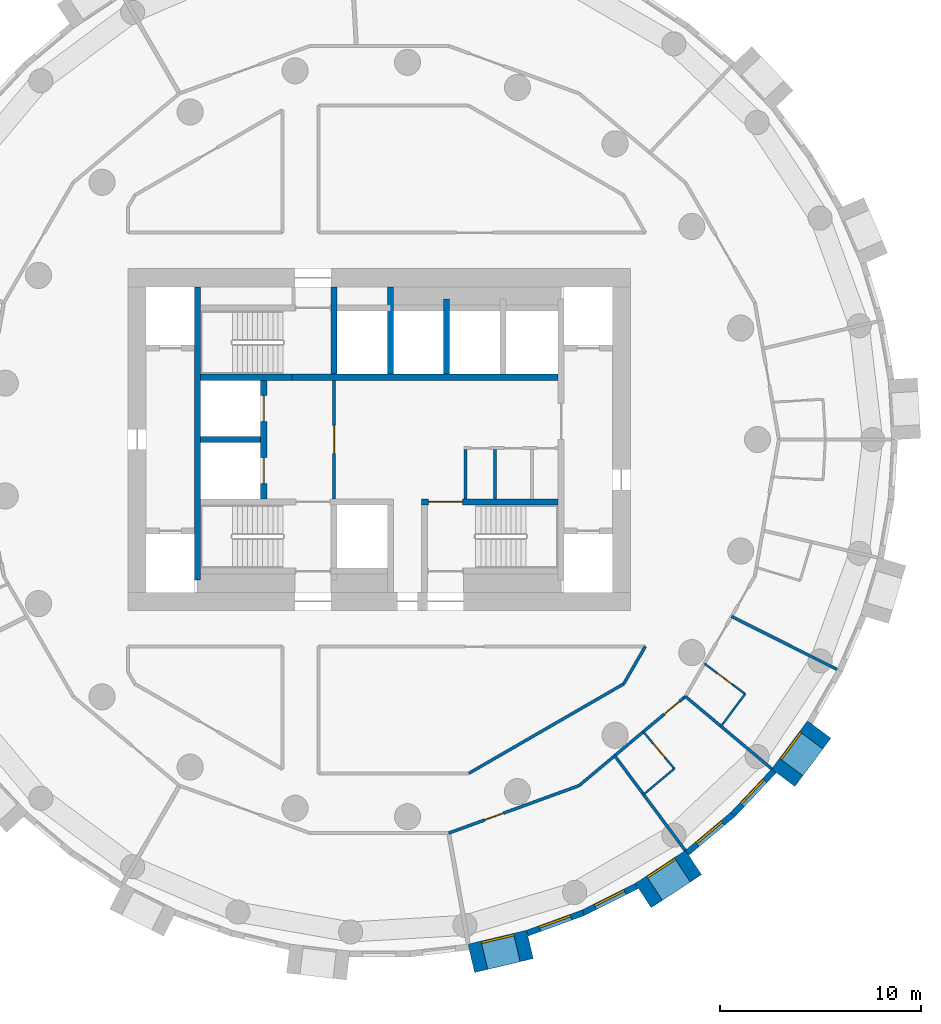
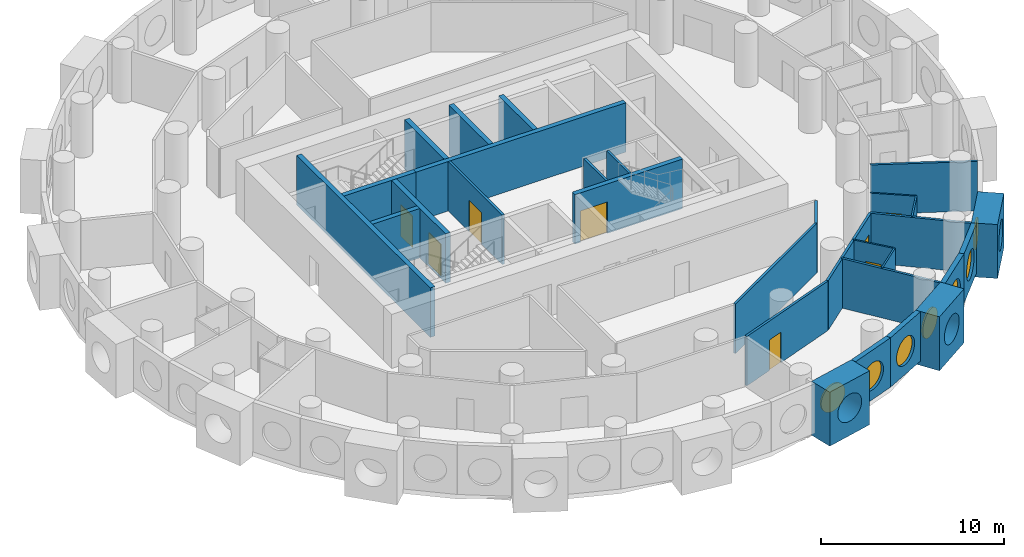
# One storey, part 4 of 9: 30 walls, 8 doors, 7 windows, 15 openings.
"""IFC4 building model written with IfcOpenShell, lengths in metres."""

import ifcopenshell
import ifcopenshell.guid

model = None  # the IFC model being written
_history = None  # IfcOwnerHistory: only IFC2X3 demands one
_inside = {}  # id of a spatial element -> (the spatial element, [elements in it])
_under = {}  # id of a project, library or spatial element -> (it, [spatial elements below it])
_declared = {}  # id of a project -> (the project, [libraries it declares])
_typed = {}  # id of a type object -> (the type object, [elements of that type])
_made_of = {}  # id of a material, layer set ... -> (it, [elements and type objects made of it])


def new_model(schema):
    """Start an empty IFC model of exactly this schema.

    Asked for "IFC4X3", IfcOpenShell would pick the latest addendum, in which some entities
    have other attributes; the version numbers below select the first issue.
    IFC2X3 requires an IfcOwnerHistory on every rooted entity: one is made here for all.
    """
    global model, _history
    if schema == "IFC4X3":
        model = ifcopenshell.file(schema_version=(4, 3, 0, 0))
    else:
        model = ifcopenshell.file(schema=schema)
    _inside.clear()
    _under.clear()
    _declared.clear()
    _typed.clear()
    _made_of.clear()
    _history = None
    if model.schema == "IFC2X3":
        org = make("IfcOrganization", Name="unknown")
        user = make(
            "IfcPersonAndOrganization",
            ThePerson=make("IfcPerson", FamilyName="unknown"),
            TheOrganization=org,
        )
        app = make(
            "IfcApplication",
            ApplicationDeveloper=org,
            Version="unknown",
            ApplicationFullName="unknown",
            ApplicationIdentifier="unknown",
        )
        _history = make(
            "IfcOwnerHistory",
            OwningUser=user,
            OwningApplication=app,
            ChangeAction="ADDED",
            CreationDate=0,
        )
    return model


def make(cls, **values):
    """One entity of the class cls with the attributes given. An attribute that is None is left unset."""
    return model.create_entity(
        cls, **{name: value for name, value in values.items() if value is not None}
    )


def rooted(cls, **values):
    """An entity with a GlobalId (a new one), such as an element, a storey or a relation."""
    return make(cls, GlobalId=ifcopenshell.guid.new(), OwnerHistory=_history, **values)


def si_unit(unit_type, name, prefix=None):
    """IfcSIUnit, for example si_unit("LENGTHUNIT", "METRE", prefix="MILLI")."""
    return make("IfcSIUnit", UnitType=unit_type, Prefix=prefix, Name=name)


def assignment(units):
    """IfcUnitAssignment: the units of a project."""
    return None if units is None else make("IfcUnitAssignment", Units=units)


def point(xyz):
    """IfcCartesianPoint."""
    return None if xyz is None else make("IfcCartesianPoint", Coordinates=xyz)


def direction(xyz):
    """IfcDirection."""
    return None if xyz is None else make("IfcDirection", DirectionRatios=xyz)


def frame(location, z_axis=None, x_axis=None):
    """IfcAxis2Placement3D, a coordinate frame: its origin and axes. An axis left out is left unset."""
    return make(
        "IfcAxis2Placement3D",
        Location=point(location),
        Axis=direction(z_axis),
        RefDirection=direction(x_axis),
    )


def frame_2d(location, x_axis=None):
    """IfcAxis2Placement2D, a coordinate frame in the plane: its origin and x axis."""
    return make(
        "IfcAxis2Placement2D", Location=point(location), RefDirection=direction(x_axis)
    )


def origin():
    """The frame at (0, 0, 0) with its axes left unset."""
    return frame((0.0, 0.0, 0.0))


def origin_2d():
    """The frame at (0, 0) in the plane with its x axis left unset."""
    return frame_2d((0.0, 0.0))


def place(relative_to, where):
    """IfcLocalPlacement: puts the frame where relative to a parent placement (None: the world)."""
    return make(
        "IfcLocalPlacement", PlacementRelTo=relative_to, RelativePlacement=where
    )


def context(
    kind, dimensions, precision=None, world=None, true_north=None, identifier=None
):
    """IfcGeometricRepresentationContext, for example the 3D "Model" context."""
    return make(
        "IfcGeometricRepresentationContext",
        ContextIdentifier=identifier,
        ContextType=kind,
        CoordinateSpaceDimension=dimensions,
        Precision=precision,
        WorldCoordinateSystem=world,
        TrueNorth=true_north,
    )


def subcontext(parent, identifier, kind, view, scale=None):
    """IfcGeometricRepresentationSubContext, for example "Body" below "Model"."""
    return make(
        "IfcGeometricRepresentationSubContext",
        ContextIdentifier=identifier,
        ContextType=kind,
        ParentContext=parent,
        TargetScale=scale,
        TargetView=view,
    )


def project(units=None, contexts=None):
    """IfcProject with its units and contexts."""
    return rooted(
        "IfcProject",
        Name="project",
        RepresentationContexts=contexts,
        UnitsInContext=assignment(units),
    )


def spatial(cls, under=None, at=None, **own):
    """A site, building, storey or space (cls), placed at a placement, below another one or the project."""
    s = rooted(cls, ObjectPlacement=at, **own)
    if under is not None:
        _under.setdefault(under.id(), (under, []))[1].append(s)
    return s


def profile(cls, at=None, kind="AREA", **sizes):
    """A parametric profile (cls). Its sizes go by their IFC names, for example OverallWidth=200.0."""
    return make(cls, ProfileType=kind, Position=at, **sizes)


def rectangle(**sizes):
    """IfcRectangleProfileDef."""
    return profile("IfcRectangleProfileDef", **sizes)


def circle(**sizes):
    """IfcCircleProfileDef."""
    return profile("IfcCircleProfileDef", **sizes)


def extrude(swept, where, along, depth):
    """IfcExtrudedAreaSolid: the profile swept, set in the frame where, extruded along a direction by depth."""
    return make(
        "IfcExtrudedAreaSolid",
        SweptArea=swept,
        Position=where,
        ExtrudedDirection=direction(along),
        Depth=depth,
    )


def shape(context_of_items, identifier, shape_type, items):
    """IfcShapeRepresentation: the items that make up one representation, for example the "Body"."""
    return make(
        "IfcShapeRepresentation",
        ContextOfItems=context_of_items,
        RepresentationIdentifier=identifier,
        RepresentationType=shape_type,
        Items=items,
    )


def material(Name=None, Category=None):
    """IfcMaterial."""
    return make("IfcMaterial", Name=Name, Category=Category)


def layer(
    of_material, thickness, ventilated=None, Name=None, Category=None, Priority=None
):
    """IfcMaterialLayer: one layer of a wall or slab, of a material (None: an air gap)."""
    return make(
        "IfcMaterialLayer",
        Material=of_material,
        LayerThickness=thickness,
        IsVentilated=ventilated,
        Name=Name,
        Category=Category,
        Priority=Priority,
    )


def layer_set(layers, Name=None):
    """IfcMaterialLayerSet."""
    return make("IfcMaterialLayerSet", MaterialLayers=layers, LayerSetName=Name)


def made_of(thing, what):
    """Note that an element or type object is made of a material, layer set ...; save() writes the relation."""
    if what is not None:
        _made_of.setdefault(what.id(), (what, []))[1].append(thing)
    return thing


def type_object(cls, material=None, **own):
    """A type object (cls), such as IfcWallType, which elements share."""
    return made_of(rooted(cls, **own), material)


def element(
    cls,
    number,
    at=None,
    inside=None,
    cuts=None,
    type_object=None,
    material=None,
    context=None,
    identifier="Body",
    shape_type=None,
    held_by="IfcProductDefinitionShape",
    body=None,
    shapes=None,
    **own,
):
    """One element of the class cls, such as IfcWall. Its Tag is "e" and its number.

    at: its placement. inside: the storey or other place that contains it. cuts: it is an
    opening in that element (IfcRelVoidsElement). A single representation is given by context,
    identifier, shape_type and body (its items); several are given by shapes. held_by: the class
    of the entity that holds the representations. save() writes the other relations.
    """
    e = rooted(cls, Tag="e%d" % number, ObjectPlacement=at, **own)
    if body is not None:
        shapes = [shape(context, identifier, shape_type, body)]
    if shapes is not None:
        e.Representation = make(held_by, Representations=shapes)
    if inside is not None:
        _inside.setdefault(inside.id(), (inside, []))[1].append(e)
    if cuts is not None:
        rooted(
            "IfcRelVoidsElement", RelatingBuildingElement=cuts, RelatedOpeningElement=e
        )
    if type_object is not None:
        _typed.setdefault(type_object.id(), (type_object, []))[1].append(e)
    return made_of(e, material)


def fill(opening, filler):
    """IfcRelFillsElement: the door or window that sits in an opening."""
    return rooted(
        "IfcRelFillsElement",
        RelatingOpeningElement=opening,
        RelatedBuildingElement=filler,
    )


def aggregate(whole, parts):
    """IfcRelAggregates: a whole, such as a stair, and the parts it consists of."""
    return rooted("IfcRelAggregates", RelatingObject=whole, RelatedObjects=parts)


def save(model, path):
    """Write the relations noted so far, then the file.

    IfcRelAggregates (storeys below a building ...), IfcRelContainedInSpatialStructure (elements
    in a storey), IfcRelDefinesByType, IfcRelAssociatesMaterial and IfcRelDeclares: one each for
    every whole, place, type object, material and project.
    """
    for whole, parts in _under.values():
        aggregate(whole, parts)
    for where, things in _inside.values():
        rooted(
            "IfcRelContainedInSpatialStructure",
            RelatedElements=things,
            RelatingStructure=where,
        )
    for kind, things in _typed.values():
        rooted("IfcRelDefinesByType", RelatedObjects=things, RelatingType=kind)
    for what, things in _made_of.values():
        rooted("IfcRelAssociatesMaterial", RelatedObjects=things, RelatingMaterial=what)
    for by, libraries in _declared.values():
        rooted("IfcRelDeclares", RelatingContext=by, RelatedDefinitions=libraries)
    model.write(path)


model = new_model("IFC4")

# Units and contexts
model_context = context("Model", 3, precision=1e-05, world=origin(), true_north=direction((0.0, 1.0)))
body_context = subcontext(model_context, "Body", "Model", "MODEL_VIEW")
ifc_project = project(units=[si_unit("LENGTHUNIT", "METRE"), si_unit("AREAUNIT", "SQUARE_METRE"), si_unit("VOLUMEUNIT", "CUBIC_METRE"), si_unit("PLANEANGLEUNIT", "RADIAN"), si_unit("MASSUNIT", "GRAM", prefix="KILO")], contexts=[model_context])

# Site, building, storey
site_placement = place(None, origin())
site = spatial("IfcSite", under=ifc_project, at=site_placement, CompositionType="ELEMENT")
building_placement = place(site_placement, origin())
building = spatial("IfcBuilding", under=site, at=building_placement, Name="Tracery Tower", CompositionType="ELEMENT")
storey_placement = place(building_placement, frame((0.0, 0.0, 198.0)))
storey = spatial("IfcBuildingStorey", under=building, at=storey_placement, Name="L51", CompositionType="ELEMENT", Elevation=198.0)

# Wall, opening, door
ifc_material_1 = material(Name="Plasterboard on steel studs", Category="steel")
ifc_layer_1 = layer(ifc_material_1, 0.14990234375)
ifc_layer_set_1 = layer_set([ifc_layer_1], Name="Core lobby partition 150")
wall_type_1 = type_object("IfcWallType", Name="Core lobby partition 150", PredefinedType="SOLIDWALL", material=ifc_layer_set_1)
wall_1_placement = place(storey_placement, frame((-2.25, -2.949951171875, 0.0), z_axis=(0.0, 0.0, 1.0), x_axis=(0.0, 1.0, 0.0)))
wall_1 = element("IfcWall", 1, at=wall_1_placement, inside=storey, type_object=wall_type_1, Name="L51 FF lobby E", PredefinedType="SOLIDWALL", context=body_context, shape_type="SweptSolid", body=[
    extrude(rectangle(XDim=5.89990234375, YDim=0.14990234375, at=frame_2d((2.949951171875, 0.0))), origin(), (0.0, 0.0, 1.0), 3.300048828125),
])
opening_1_placement = place(wall_1_placement, frame((2.25, 0.0, 0.0)))
opening_1 = element("IfcOpeningElement", 2, at=opening_1_placement, cuts=wall_1, Name="Opening KD8", PredefinedType="OPENING", context=body_context, shape_type="SweptSolid", body=[
    extrude(rectangle(XDim=1.39990234375, YDim=2.10009765625, at=frame_2d((0.699951171875, 1.050048828125))), frame((0.0, 0.074951171875, 0.0), z_axis=(0.0, -1.0, 0.0), x_axis=(1.0, 0.0, 0.0)), (0.0, 0.0, 1.0), 0.14990234375),
])
ifc_material_2 = material(Name="Steel fire door", Category="steel")
door_type_1 = type_object("IfcDoorType", Name="Core lobby door 1400 double", OperationType="NOTDEFINED", PredefinedType="DOOR", material=ifc_material_2)
door_1_placement = place(opening_1_placement, origin())
door_1 = element("IfcDoor", 3, at=door_1_placement, inside=storey, type_object=door_type_1, Name="Fire-fighting lobby door", OperationType="DOUBLE_DOOR_SINGLE_SWING", OverallHeight=2.10009765625, OverallWidth=1.39990234375, PredefinedType="DOOR", context=body_context, shape_type="SweptSolid", body=[
    extrude(rectangle(XDim=1.39990234375, YDim=2.10009765625, at=frame_2d((0.699951171875, 1.050048828125))), frame((0.0, 0.02490234375, 0.0), z_axis=(0.0, -1.0, 0.0), x_axis=(1.0, 0.0, 0.0)), (0.0, 0.0, 1.0), 0.050048828125),
])
fill(opening_1, door_1)

# Walls
ifc_material_3 = material(Name="Plasterboard on steel studs", Category="steel")
ifc_layer_2 = layer(ifc_material_3, 0.14990234375)
ifc_layer_set_2 = layer_set([ifc_layer_2], Name="Core room partition 150")
wall_type_2 = type_object("IfcWallType", Name="Core room partition 150", PredefinedType="SOLIDWALL", material=ifc_layer_set_2)
for number, where, z_axis, x_axis, name in (
    (4, (4.300048828125, -2.949951171875, 0.0), (0.0, 0.0, 1.0), (0.0, 1.0, 0.0), "L51 slot W"),
    (5, (5.75, -2.949951171875, 0.0), (0.0, 0.0, 1.0), (0.0, 1.0, 0.0), "L51 slot sep 1"),
):
    element("IfcWall", number, at=place(storey_placement, frame(where, z_axis=z_axis, x_axis=x_axis)), inside=storey, type_object=wall_type_2, Name=name, PredefinedType="SOLIDWALL", context=body_context, shape_type="SweptSolid", body=[
        extrude(rectangle(XDim=2.449951171875, YDim=0.14990234375, at=frame_2d((1.22509765625, 0.0))), origin(), (0.0, 0.0, 1.0), 3.300048828125),
    ])

# Wall, opening, window
ifc_material_4 = material(Name="Precast concrete C50/60", Category="concrete")
ifc_layer_3 = layer(ifc_material_4, 1.449951171875)
ifc_layer_set_3 = layer_set([ifc_layer_3], Name="Deep-set bay unit 3000 x 3600, slab edge 300")
wall_type_3 = type_object("IfcWallType", Name="Deep-set bay unit 3000 x 3600, slab edge 300", PredefinedType="ELEMENTEDWALL", material=ifc_layer_set_3)
wall_2_placement = place(storey_placement, frame((4.57763671875, -25.8193359375, -0.300048828125), z_axis=(0.0, 0.0, 1.0), x_axis=(0.973042333261, 0.23062657627, 0.0)))
wall_2 = element("IfcWall", 6, at=wall_2_placement, inside=storey, type_object=wall_type_3, Name="Deep-set bay unit 43 at L51", PredefinedType="ELEMENTEDWALL", context=body_context, shape_type="SweptSolid", body=[
    extrude(rectangle(XDim=3.0, YDim=1.449951171875, at=frame_2d((1.5, 0.0))), origin(), (0.0, 0.0, 1.0), 3.60009765625),
])
opening_2_placement = place(wall_2_placement, frame((1.5, 0.0, 1.85009765625)))
opening_2 = element("IfcOpeningElement", 7, at=opening_2_placement, cuts=wall_2, Name="Opening WN1", PredefinedType="OPENING", context=body_context, shape_type="SweptSolid", body=[
    extrude(circle(Radius=0.9000244140625, at=origin_2d()), frame((0.0, 0.73486328125, 0.0), z_axis=(0.0, -1.0, 0.0), x_axis=(1.0, 0.0, 0.0)), (0.0, 0.0, 1.0), 1.469970703125),
])
ifc_material_5 = material(Name="Aluminium frame with tinted double glazing", Category="aluminium")
window_type = type_object("IfcWindowType", Name="Round window 1800", PartitioningType="SINGLE_PANEL", PredefinedType="WINDOW", material=ifc_material_5)
window_1_placement = place(opening_2_placement, origin())
window_1 = element("IfcWindow", 8, at=window_1_placement, inside=storey, type_object=window_type, Name="Round window 43 at L51", OverallHeight=1.800048828125, OverallWidth=1.800048828125, PartitioningType="SINGLE_PANEL", PredefinedType="WINDOW", context=body_context, shape_type="SweptSolid", body=[
    extrude(circle(Radius=0.9000244140625, at=origin_2d()), frame((0.0, 0.69482421875, 0.0), z_axis=(0.0, -1.0, 0.0), x_axis=(1.0, 0.0, 0.0)), (0.0, 0.0, 1.0), 0.10009765625),
])
fill(opening_2, window_1)

wall_3_placement = place(storey_placement, frame((13.13232421875, -22.696533203125, -0.300048828125), z_axis=(0.0, 0.0, 1.0), x_axis=(0.835514416706, 0.549468524554, 0.0)))
wall_3 = element("IfcWall", 9, at=wall_3_placement, inside=storey, type_object=wall_type_3, Name="Deep-set bay unit 46 at L51", PredefinedType="ELEMENTEDWALL", context=body_context, shape_type="SweptSolid", body=[
    extrude(rectangle(XDim=3.0, YDim=1.449951171875, at=frame_2d((1.5, 0.0))), origin(), (0.0, 0.0, 1.0), 3.60009765625),
])
opening_3_placement = place(wall_3_placement, frame((1.5, 0.0, 1.85009765625)))
opening_3 = element("IfcOpeningElement", 10, at=opening_3_placement, cuts=wall_3, Name="Opening WN1", PredefinedType="OPENING", context=body_context, shape_type="SweptSolid", body=[
    extrude(circle(Radius=0.9000244140625, at=origin_2d()), frame((0.0, 0.73486328125, 0.0), z_axis=(0.0, -1.0, 0.0), x_axis=(1.0, 0.0, 0.0)), (0.0, 0.0, 1.0), 1.469970703125),
])
window_2_placement = place(opening_3_placement, origin())
window_2 = element("IfcWindow", 11, at=window_2_placement, inside=storey, type_object=window_type, Name="Round window 46 at L51", OverallHeight=1.800048828125, OverallWidth=1.800048828125, PartitioningType="SINGLE_PANEL", PredefinedType="WINDOW", context=body_context, shape_type="SweptSolid", body=[
    extrude(circle(Radius=0.9000244140625, at=origin_2d()), frame((0.0, 0.69482421875, 0.0), z_axis=(0.0, -1.0, 0.0), x_axis=(1.0, 0.0, 0.0)), (0.0, 0.0, 1.0), 0.10009765625),
])
fill(opening_3, window_2)

wall_4_placement = place(storey_placement, frame((20.10302734375, -16.836181640625, -0.300048828125), z_axis=(0.0, 0.0, 1.0), x_axis=(0.597183717734, 0.802104486506, 0.0)))
wall_4 = element("IfcWall", 12, at=wall_4_placement, inside=storey, type_object=wall_type_3, Name="Deep-set bay unit 49 at L51", PredefinedType="ELEMENTEDWALL", context=body_context, shape_type="SweptSolid", body=[
    extrude(rectangle(XDim=3.0, YDim=1.449951171875, at=frame_2d((1.5, 0.0))), origin(), (0.0, 0.0, 1.0), 3.60009765625),
])
opening_4_placement = place(wall_4_placement, frame((1.5, 0.0, 1.85009765625)))
opening_4 = element("IfcOpeningElement", 13, at=opening_4_placement, cuts=wall_4, Name="Opening WN1", PredefinedType="OPENING", context=body_context, shape_type="SweptSolid", body=[
    extrude(circle(Radius=0.9000244140625, at=origin_2d()), frame((0.0, 0.73486328125, 0.0), z_axis=(0.0, -1.0, 0.0), x_axis=(1.0, 0.0, 0.0)), (0.0, 0.0, 1.0), 1.469970703125),
])
window_3_placement = place(opening_4_placement, origin())
window_3 = element("IfcWindow", 14, at=window_3_placement, inside=storey, type_object=window_type, Name="Round window 49 at L51", OverallHeight=1.800048828125, OverallWidth=1.800048828125, PartitioningType="SINGLE_PANEL", PredefinedType="WINDOW", context=body_context, shape_type="SweptSolid", body=[
    extrude(circle(Radius=0.9000244140625, at=origin_2d()), frame((0.0, 0.69482421875, 0.0), z_axis=(0.0, -1.0, 0.0), x_axis=(1.0, 0.0, 0.0)), (0.0, 0.0, 1.0), 0.10009765625),
])
fill(opening_4, window_3)

ifc_material_6 = material(Name="Precast concrete C50/60", Category="concrete")
ifc_layer_4 = layer(ifc_material_6, 0.300048828125)
ifc_layer_set_4 = layer_set([ifc_layer_4], Name="Facade panel 3000 x 3300")
wall_type_4 = type_object("IfcWallType", Name="Facade panel 3000 x 3300", PredefinedType="SOLIDWALL", material=ifc_layer_set_4)
wall_5_placement = place(storey_placement, frame((7.36474609375, -24.566650390625, 0.0), z_axis=(0.0, 0.0, 1.0), x_axis=(0.939690282133, 0.342026568652, 0.0)))
wall_5 = element("IfcWall", 15, at=wall_5_placement, inside=storey, type_object=wall_type_4, Name="Facade panel 44 at L51", PredefinedType="SOLIDWALL", context=body_context, shape_type="SweptSolid", body=[
    extrude(rectangle(XDim=2.972900390625, YDim=0.300048828125, at=frame_2d((1.486328125, 0.0))), origin(), (0.0, 0.0, 1.0), 3.300048828125),
])
opening_5_placement = place(wall_5_placement, frame((1.486328125, 0.0, 1.5498046875)))
opening_5 = element("IfcOpeningElement", 16, at=opening_5_placement, cuts=wall_5, Name="Opening WN1", PredefinedType="OPENING", context=body_context, shape_type="SweptSolid", body=[
    extrude(circle(Radius=0.9000244140625, at=origin_2d()), frame((0.0, 0.159912109375, 0.0), z_axis=(0.0, -1.0, 0.0), x_axis=(1.0, 0.0, 0.0)), (0.0, 0.0, 1.0), 0.320068359375),
])
window_4_placement = place(opening_5_placement, origin())
window_4 = element("IfcWindow", 17, at=window_4_placement, inside=storey, type_object=window_type, Name="Round window 44 at L51", OverallHeight=1.800048828125, OverallWidth=1.800048828125, PartitioningType="SINGLE_PANEL", PredefinedType="WINDOW", context=body_context, shape_type="SweptSolid", body=[
    extrude(circle(Radius=0.9000244140625, at=origin_2d()), frame((0.0, 0.1201171875, 0.0), z_axis=(0.0, -1.0, 0.0), x_axis=(1.0, 0.0, 0.0)), (0.0, 0.0, 1.0), 0.10009765625),
])
fill(opening_5, window_4)

wall_6_placement = place(storey_placement, frame((10.158447265625, -23.5498046875, 0.0), z_axis=(0.0, 0.0, 1.0), x_axis=(0.893637442555, 0.448789618045, 0.0)))
wall_6 = element("IfcWall", 18, at=wall_6_placement, inside=storey, type_object=wall_type_4, Name="Facade panel 45 at L51", PredefinedType="SOLIDWALL", context=body_context, shape_type="SweptSolid", body=[
    extrude(rectangle(XDim=2.972900390625, YDim=0.300048828125, at=frame_2d((1.486328125, 0.0))), origin(), (0.0, 0.0, 1.0), 3.300048828125),
])
opening_6_placement = place(wall_6_placement, frame((1.486328125, 0.0, 1.5498046875)))
opening_6 = element("IfcOpeningElement", 19, at=opening_6_placement, cuts=wall_6, Name="Opening WN1", PredefinedType="OPENING", context=body_context, shape_type="SweptSolid", body=[
    extrude(circle(Radius=0.9000244140625, at=origin_2d()), frame((0.0, 0.159912109375, 0.0), z_axis=(0.0, -1.0, 0.0), x_axis=(1.0, 0.0, 0.0)), (0.0, 0.0, 1.0), 0.320068359375),
])
window_5_placement = place(opening_6_placement, origin())
window_5 = element("IfcWindow", 20, at=window_5_placement, inside=storey, type_object=window_type, Name="Round window 45 at L51", OverallHeight=1.800048828125, OverallWidth=1.800048828125, PartitioningType="SINGLE_PANEL", PredefinedType="WINDOW", context=body_context, shape_type="SweptSolid", body=[
    extrude(circle(Radius=0.9000244140625, at=origin_2d()), frame((0.0, 0.1201171875, 0.0), z_axis=(0.0, -1.0, 0.0), x_axis=(1.0, 0.0, 0.0)), (0.0, 0.0, 1.0), 0.10009765625),
])
fill(opening_6, window_5)

wall_7_placement = place(storey_placement, frame((15.322998046875, -20.566162109375, 0.0), z_axis=(0.0, 0.0, 1.0), x_axis=(0.766049350637, 0.642781761089, 0.0)))
wall_7 = element("IfcWall", 21, at=wall_7_placement, inside=storey, type_object=wall_type_4, Name="Facade panel 47 at L51", PredefinedType="SOLIDWALL", context=body_context, shape_type="SweptSolid", body=[
    extrude(rectangle(XDim=2.972900390625, YDim=0.300048828125, at=frame_2d((1.486328125, 0.0))), origin(), (0.0, 0.0, 1.0), 3.300048828125),
])
opening_7_placement = place(wall_7_placement, frame((1.486328125, 0.0, 1.5498046875)))
opening_7 = element("IfcOpeningElement", 22, at=opening_7_placement, cuts=wall_7, Name="Opening WN1", PredefinedType="OPENING", context=body_context, shape_type="SweptSolid", body=[
    extrude(circle(Radius=0.9000244140625, at=origin_2d()), frame((0.0, 0.159912109375, 0.0), z_axis=(0.0, -1.0, 0.0), x_axis=(1.0, 0.0, 0.0)), (0.0, 0.0, 1.0), 0.320068359375),
])
window_6_placement = place(opening_7_placement, origin())
window_6 = element("IfcWindow", 23, at=window_6_placement, inside=storey, type_object=window_type, Name="Round window 47 at L51", OverallHeight=1.800048828125, OverallWidth=1.800048828125, PartitioningType="SINGLE_PANEL", PredefinedType="WINDOW", context=body_context, shape_type="SweptSolid", body=[
    extrude(circle(Radius=0.9000244140625, at=origin_2d()), frame((0.0, 0.1201171875, 0.0), z_axis=(0.0, -1.0, 0.0), x_axis=(1.0, 0.0, 0.0)), (0.0, 0.0, 1.0), 0.10009765625),
])
fill(opening_7, window_6)

wall_8_placement = place(storey_placement, frame((17.600341796875, -18.6552734375, 0.0), z_axis=(0.0, 0.0, 1.0), x_axis=(0.686235184166, 0.727379730273, 0.0)))
wall_8 = element("IfcWall", 24, at=wall_8_placement, inside=storey, type_object=wall_type_4, Name="Facade panel 48 at L51", PredefinedType="SOLIDWALL", context=body_context, shape_type="SweptSolid", body=[
    extrude(rectangle(XDim=2.972900390625, YDim=0.300048828125, at=frame_2d((1.486328125, 0.0))), origin(), (0.0, 0.0, 1.0), 3.300048828125),
])
opening_8_placement = place(wall_8_placement, frame((1.486328125, 0.0, 1.5498046875)))
opening_8 = element("IfcOpeningElement", 25, at=opening_8_placement, cuts=wall_8, Name="Opening WN1", PredefinedType="OPENING", context=body_context, shape_type="SweptSolid", body=[
    extrude(circle(Radius=0.9000244140625, at=origin_2d()), frame((0.0, 0.159912109375, 0.0), z_axis=(0.0, -1.0, 0.0), x_axis=(1.0, 0.0, 0.0)), (0.0, 0.0, 1.0), 0.320068359375),
])
window_7_placement = place(opening_8_placement, origin())
window_7 = element("IfcWindow", 26, at=window_7_placement, inside=storey, type_object=window_type, Name="Round window 48 at L51", OverallHeight=1.800048828125, OverallWidth=1.800048828125, PartitioningType="SINGLE_PANEL", PredefinedType="WINDOW", context=body_context, shape_type="SweptSolid", body=[
    extrude(circle(Radius=0.9000244140625, at=origin_2d()), frame((0.0, 0.1201171875, 0.0), z_axis=(0.0, -1.0, 0.0), x_axis=(1.0, 0.0, 0.0)), (0.0, 0.0, 1.0), 0.10009765625),
])
fill(opening_8, window_7)

# Wall
ifc_material_7 = material(Name="Plasterboard on steel studs", Category="steel")
ifc_layer_5 = layer(ifc_material_7, 0.10009765625)
ifc_layer_set_5 = layer_set([ifc_layer_5], Name="Partition 100 wet wall")
wall_type_5 = type_object("IfcWallType", Name="Partition 100 wet wall", PredefinedType="PARTITIONING", material=ifc_layer_set_5)
wall_9_placement = place(storey_placement, frame((13.15087890625, -17.6650390625, 0.0), z_axis=(0.0, 0.0, 1.0), x_axis=(0.766224532916, 0.642572925945, 0.0)))
element("IfcWall", 27, at=wall_9_placement, inside=storey, type_object=wall_type_5, Name="Wet wall RB7-058", PredefinedType="PARTITIONING", context=body_context, shape_type="SweptSolid", body=[
    extrude(rectangle(XDim=1.998046875, YDim=0.10009765625, at=frame_2d((0.9990234375, 0.0))), origin(), (0.0, 0.0, 1.0), 3.300048828125),
])

# Wall, opening, door
wall_10_placement = place(storey_placement, frame((13.138916015625, -14.5419921875, 0.0), z_axis=(0.0, 0.0, 1.0), x_axis=(0.642731657745, -0.766091388891, 0.0)))
wall_10 = element("IfcWall", 28, at=wall_10_placement, inside=storey, type_object=wall_type_5, Name="Wet wall RB7-059", PredefinedType="PARTITIONING", context=body_context, shape_type="SweptSolid", body=[
    extrude(rectangle(XDim=2.400634765625, YDim=0.10009765625, at=frame_2d((1.2001953125, 0.0))), origin(), (0.0, 0.0, 1.0), 3.300048828125),
])
opening_9_placement = place(wall_10_placement, frame((0.75048828125, 0.0, 0.0)))
opening_9 = element("IfcOpeningElement", 29, at=opening_9_placement, cuts=wall_10, Name="Opening RB7-19", PredefinedType="OPENING", context=body_context, shape_type="SweptSolid", body=[
    extrude(rectangle(XDim=0.89990234375, YDim=2.0400390625, at=frame_2d((0.449951171875, 1.02001953125))), frame((0.0, 0.050048828125, 0.0), z_axis=(0.0, -1.0, 0.0), x_axis=(1.0, 0.0, 0.0)), (0.0, 0.0, 1.0), 0.10009765625),
])
ifc_material_8 = material(Name="Timber door leaf", Category="wood")
door_type_2 = type_object("IfcDoorType", Name="Door en-suite 900", OperationType="NOTDEFINED", PredefinedType="DOOR", material=ifc_material_8)
door_2_placement = place(opening_9_placement, origin())
door_2 = element("IfcDoor", 30, at=door_2_placement, inside=storey, type_object=door_type_2, Name="En-suite door RB7-19", OperationType="SINGLE_SWING_LEFT", OverallHeight=2.0400390625, OverallWidth=0.89990234375, PredefinedType="DOOR", context=body_context, shape_type="SweptSolid", body=[
    extrude(rectangle(XDim=0.89990234375, YDim=2.0400390625, at=frame_2d((0.449951171875, 1.02001953125))), frame((0.0, 0.02490234375, 0.0), z_axis=(0.0, -1.0, 0.0), x_axis=(1.0, 0.0, 0.0)), (0.0, 0.0, 1.0), 0.050048828125),
])
fill(opening_9, door_2)

# Wall
wall_11_placement = place(storey_placement, frame((17.007080078125, -14.27099609375, 0.0), z_axis=(0.0, 0.0, 1.0), x_axis=(0.597019866774, 0.802226450996, 0.0)))
element("IfcWall", 31, at=wall_11_placement, inside=storey, type_object=wall_type_5, Name="Wet wall RB7-061", PredefinedType="PARTITIONING", context=body_context, shape_type="SweptSolid", body=[
    extrude(rectangle(XDim=2.00830078125, YDim=0.10009765625, at=frame_2d((1.004150390625, 0.0))), origin(), (0.0, 0.0, 1.0), 3.300048828125),
])

# Wall, opening, door
wall_12_placement = place(storey_placement, frame((16.177978515625, -11.14990234375, 0.0), z_axis=(0.0, 0.0, 1.0), x_axis=(0.8020923136, -0.597200067367, 0.0)))
wall_12 = element("IfcWall", 32, at=wall_12_placement, inside=storey, type_object=wall_type_5, Name="Wet wall RB7-062", PredefinedType="PARTITIONING", context=body_context, shape_type="SweptSolid", body=[
    extrude(rectangle(XDim=2.528564453125, YDim=0.10009765625, at=frame_2d((1.26416015625, 0.0))), origin(), (0.0, 0.0, 1.0), 3.300048828125),
])
opening_10_placement = place(wall_12_placement, frame((0.814453125, 0.0, 0.0)))
opening_10 = element("IfcOpeningElement", 33, at=opening_10_placement, cuts=wall_12, Name="Opening RB7-21", PredefinedType="OPENING", context=body_context, shape_type="SweptSolid", body=[
    extrude(rectangle(XDim=0.89990234375, YDim=2.0400390625, at=frame_2d((0.449951171875, 1.02001953125))), frame((0.0, 0.050048828125, 0.0), z_axis=(0.0, -1.0, 0.0), x_axis=(1.0, 0.0, 0.0)), (0.0, 0.0, 1.0), 0.10009765625),
])
door_3_placement = place(opening_10_placement, origin())
door_3 = element("IfcDoor", 34, at=door_3_placement, inside=storey, type_object=door_type_2, Name="En-suite door RB7-21", OperationType="SINGLE_SWING_LEFT", OverallHeight=2.0400390625, OverallWidth=0.89990234375, PredefinedType="DOOR", context=body_context, shape_type="SweptSolid", body=[
    extrude(rectangle(XDim=0.89990234375, YDim=2.0400390625, at=frame_2d((0.449951171875, 1.02001953125))), frame((0.0, 0.02490234375, 0.0), z_axis=(0.0, -1.0, 0.0), x_axis=(1.0, 0.0, 0.0)), (0.0, 0.0, 1.0), 0.050048828125),
])
fill(opening_10, door_3)

# Walls
ifc_material_9 = material(Name="Plasterboard on steel studs", Category="steel")
ifc_layer_6 = layer(ifc_material_9, 0.14990234375)
ifc_layer_set_6 = layer_set([ifc_layer_6], Name="Partition 150 acoustic unit wall")
wall_type_6 = type_object("IfcWallType", Name="Partition 150 acoustic unit wall", PredefinedType="PARTITIONING", material=ifc_layer_set_6)
wall_13_placement = place(storey_placement, frame((11.716796875, -15.736328125, 0.0), z_axis=(0.0, 0.0, 1.0), x_axis=(0.597012012598, -0.802232296043, 0.0)))
element("IfcWall", 35, at=wall_13_placement, inside=storey, type_object=wall_type_6, Name="Unit wall RB7-057", PredefinedType="PARTITIONING", context=body_context, shape_type="SweptSolid", body=[
    extrude(rectangle(XDim=5.878173828125, YDim=0.14990234375, at=frame_2d((2.93896484375, 0.0))), origin(), (0.0, 0.0, 1.0), 3.300048828125),
])
wall_14_placement = place(storey_placement, frame((15.234375, -12.784912109375, 0.0), z_axis=(0.0, 0.0, 1.0), x_axis=(0.766230257274, -0.642566099976, 0.0)))
element("IfcWall", 36, at=wall_14_placement, inside=storey, type_object=wall_type_6, Name="Unit wall RB7-060", PredefinedType="PARTITIONING", context=body_context, shape_type="SweptSolid", body=[
    extrude(rectangle(XDim=5.60888671875, YDim=0.14990234375, at=frame_2d((2.804443359375, 0.0))), origin(), (0.0, 0.0, 1.0), 3.300048828125),
])
wall_15_placement = place(storey_placement, frame((17.531982421875, -8.804931640625, 0.0), z_axis=(0.0, 0.0, 1.0), x_axis=(0.893628331628, -0.448807759415, 0.0)))
element("IfcWall", 37, at=wall_15_placement, inside=storey, type_object=wall_type_6, Name="Unit wall RB7-063", PredefinedType="PARTITIONING", context=body_context, shape_type="SweptSolid", body=[
    extrude(rectangle(XDim=5.878173828125, YDim=0.14990234375, at=frame_2d((2.93896484375, 0.0))), origin(), (0.0, 0.0, 1.0), 3.300048828125),
])
ifc_material_10 = material(Name="Plasterboard on steel studs", Category="steel")
ifc_layer_7 = layer(ifc_material_10, 0.14990234375)
ifc_layer_set_7 = layer_set([ifc_layer_7], Name="Partition 150 corridor wall")
wall_type_7 = type_object("IfcWallType", Name="Partition 150 corridor wall", PredefinedType="PARTITIONING", material=ifc_layer_set_7)
wall_16_placement = place(storey_placement, frame((12.162109375, -12.162109375, 0.0), z_axis=(0.0, 0.0, 1.0), x_axis=(0.499961633463, 0.866047553582, 0.0)))
element("IfcWall", 38, at=wall_16_placement, inside=storey, type_object=wall_type_7, Name="Corridor wall RB7-006", PredefinedType="PARTITIONING", context=body_context, shape_type="SweptSolid", body=[
    extrude(rectangle(XDim=2.150146484375, YDim=0.14990234375, at=frame_2d((1.0751953125, 0.0))), origin(), (0.0, 0.0, 1.0), 3.300048828125),
])

# Wall, opening, door
wall_17_placement = place(storey_placement, frame((9.943359375, -17.22216796875, 0.0), z_axis=(0.0, 0.0, 1.0), x_axis=(0.766192104565, 0.642611592567, 0.0)))
wall_17 = element("IfcWall", 39, at=wall_17_placement, inside=storey, type_object=wall_type_7, Name="Corridor wall RB7-010", PredefinedType="PARTITIONING", context=body_context, shape_type="SweptSolid", body=[
    extrude(rectangle(XDim=6.906494140625, YDim=0.14990234375, at=frame_2d((3.453125, 0.0))), origin(), (0.0, 0.0, 1.0), 3.300048828125),
])
opening_11_placement = place(wall_17_placement, frame((5.53662109375, 0.0, 0.0)))
opening_11 = element("IfcOpeningElement", 40, at=opening_11_placement, cuts=wall_17, Name="Opening RB7-20", PredefinedType="OPENING", context=body_context, shape_type="SweptSolid", body=[
    extrude(rectangle(XDim=1.0, YDim=2.10009765625, at=frame_2d((0.5, 1.050048828125))), frame((0.0, 0.074951171875, 0.0), z_axis=(0.0, -1.0, 0.0), x_axis=(1.0, 0.0, 0.0)), (0.0, 0.0, 1.0), 0.14990234375),
])
ifc_material_11 = material(Name="Timber door leaf", Category="wood")
door_type_3 = type_object("IfcDoorType", Name="Door unit entrance 1000", OperationType="NOTDEFINED", PredefinedType="DOOR", material=ifc_material_11)
door_4_placement = place(opening_11_placement, origin())
door_4 = element("IfcDoor", 41, at=door_4_placement, inside=storey, type_object=door_type_3, Name="Unit entrance door RB7-20", OperationType="SINGLE_SWING_RIGHT", OverallHeight=2.10009765625, OverallWidth=1.0, PredefinedType="DOOR", context=body_context, shape_type="SweptSolid", body=[
    extrude(rectangle(XDim=1.0, YDim=2.10009765625, at=frame_2d((0.5, 1.050048828125))), frame((0.0, 0.02490234375, 0.0), z_axis=(0.0, -1.0, 0.0), x_axis=(1.0, 0.0, 0.0)), (0.0, 0.0, 1.0), 0.050048828125),
])
fill(opening_11, door_4)

# Wall
wall_18_placement = place(storey_placement, frame((4.451904296875, -16.614013671875, 0.0), z_axis=(0.0, 0.0, 1.0), x_axis=(0.866005203721, 0.500034985904, 0.0)))
element("IfcWall", 42, at=wall_18_placement, inside=storey, type_object=wall_type_7, Name="Corridor wall RB7-036", PredefinedType="PARTITIONING", context=body_context, shape_type="SweptSolid", body=[
    extrude(rectangle(XDim=8.903076171875, YDim=0.14990234375, at=frame_2d((4.45166015625, 0.0))), origin(), (0.0, 0.0, 1.0), 3.300048828125),
])

# Wall, opening, door
wall_19_placement = place(storey_placement, frame((3.452880859375, -19.5859375, 0.0), z_axis=(0.0, 0.0, 1.0), x_axis=(0.939672634566, 0.342075050021, 0.0)))
wall_19 = element("IfcWall", 43, at=wall_19_placement, inside=storey, type_object=wall_type_7, Name="Corridor wall RB7-039", PredefinedType="PARTITIONING", context=body_context, shape_type="SweptSolid", body=[
    extrude(rectangle(XDim=6.907958984375, YDim=0.14990234375, at=frame_2d((3.4541015625, 0.0))), origin(), (0.0, 0.0, 1.0), 3.300048828125),
])
opening_12_placement = place(wall_19_placement, frame((1.90380859375, 0.0, 0.0)))
opening_12 = element("IfcOpeningElement", 44, at=opening_12_placement, cuts=wall_19, Name="Opening RB7-18", PredefinedType="OPENING", context=body_context, shape_type="SweptSolid", body=[
    extrude(rectangle(XDim=1.0, YDim=2.0400390625, at=frame_2d((0.5, 1.02001953125))), frame((0.0, 0.074951171875, 0.0), z_axis=(0.0, -1.0, 0.0), x_axis=(1.0, 0.0, 0.0)), (0.0, 0.0, 1.0), 0.14990234375),
])
ifc_material_12 = material(Name="Timber door leaf", Category="wood")
door_type_4 = type_object("IfcDoorType", Name="Door communal room 1000", OperationType="NOTDEFINED", PredefinedType="DOOR", material=ifc_material_12)
door_5_placement = place(opening_12_placement, origin())
door_5 = element("IfcDoor", 45, at=door_5_placement, inside=storey, type_object=door_type_4, Name="Communal room door RB7-18", OperationType="SINGLE_SWING_RIGHT", OverallHeight=2.0400390625, OverallWidth=1.0, PredefinedType="DOOR", context=body_context, shape_type="SweptSolid", body=[
    extrude(rectangle(XDim=1.0, YDim=2.0400390625, at=frame_2d((0.5, 1.02001953125))), frame((0.0, 0.02490234375, 0.0), z_axis=(0.0, -1.0, 0.0), x_axis=(1.0, 0.0, 0.0)), (0.0, 0.0, 1.0), 0.050048828125),
])
fill(opening_12, door_5)

# Wall
ifc_material_13 = material(Name="Concrete C50/60", Category="concrete")
ifc_layer_8 = layer(ifc_material_13, 0.300048828125)
ifc_layer_set_8 = layer_set([ifc_layer_8], Name="Shaft wall 300 C50")
wall_type_8 = type_object("IfcWallType", Name="Shaft wall 300 C50", PredefinedType="SOLIDWALL", material=ifc_layer_set_8)
wall_20_placement = place(storey_placement, frame((-8.89990234375, 0.0, 0.0), z_axis=(0.0, 0.0, 1.0), x_axis=(1.0, 0.0, 0.0)))
element("IfcWall", 46, at=wall_20_placement, inside=storey, type_object=wall_type_8, Name="L51 FF split", PredefinedType="SOLIDWALL", context=body_context, shape_type="SweptSolid", body=[
    extrude(rectangle(XDim=3.0, YDim=0.300048828125, at=frame_2d((1.5, 0.0))), origin(), (0.0, 0.0, 1.0), 3.300048828125),
])

# Wall, openings, doors
wall_21_placement = place(storey_placement, frame((-5.75, -2.949951171875, 0.0), z_axis=(0.0, 0.0, 1.0), x_axis=(0.0, 1.0, 0.0)))
wall_21 = element("IfcWall", 47, at=wall_21_placement, inside=storey, type_object=wall_type_8, Name="L51 FF doors", PredefinedType="SOLIDWALL", context=body_context, shape_type="SweptSolid", body=[
    extrude(rectangle(XDim=5.89990234375, YDim=0.300048828125, at=frame_2d((2.949951171875, 0.0))), origin(), (0.0, 0.0, 1.0), 3.300048828125),
])
opening_13_placement = place(wall_21_placement, frame((0.75, 0.0, 0.0)))
opening_13 = element("IfcOpeningElement", 48, at=opening_13_placement, cuts=wall_21, Name="Opening KD54", PredefinedType="OPENING", context=body_context, shape_type="SweptSolid", body=[
    extrude(rectangle(XDim=1.300048828125, YDim=2.10009765625, at=frame_2d((0.64990234375, 1.050048828125))), frame((0.0, 0.14990234375, 0.0), z_axis=(0.0, -1.0, 0.0), x_axis=(1.0, 0.0, 0.0)), (0.0, 0.0, 1.0), 0.300048828125),
])
opening_14_placement = place(wall_21_placement, frame((3.85009765625, 0.0, 0.0)))
opening_14 = element("IfcOpeningElement", 49, at=opening_14_placement, cuts=wall_21, Name="Opening KD55", PredefinedType="OPENING", context=body_context, shape_type="SweptSolid", body=[
    extrude(rectangle(XDim=1.300048828125, YDim=2.10009765625, at=frame_2d((0.64990234375, 1.050048828125))), frame((0.0, 0.14990234375, 0.0), z_axis=(0.0, -1.0, 0.0), x_axis=(1.0, 0.0, 0.0)), (0.0, 0.0, 1.0), 0.300048828125),
])
ifc_material_14 = material(Name="Steel fire door", Category="steel")
door_type_5 = type_object("IfcDoorType", Name="Landing door FF 1300", OperationType="NOTDEFINED", PredefinedType="DOOR", material=ifc_material_14)
door_6_placement = place(opening_13_placement, origin())
door_6 = element("IfcDoor", 50, at=door_6_placement, inside=storey, type_object=door_type_5, Name="Landing door FF1", OperationType="SLIDING_TO_LEFT", OverallHeight=2.10009765625, OverallWidth=1.300048828125, PredefinedType="DOOR", context=body_context, shape_type="SweptSolid", body=[
    extrude(rectangle(XDim=1.300048828125, YDim=2.10009765625, at=frame_2d((0.64990234375, 1.050048828125))), frame((0.0, 0.02490234375, 0.0), z_axis=(0.0, -1.0, 0.0), x_axis=(1.0, 0.0, 0.0)), (0.0, 0.0, 1.0), 0.050048828125),
])
fill(opening_13, door_6)
door_7_placement = place(opening_14_placement, origin())
door_7 = element("IfcDoor", 51, at=door_7_placement, inside=storey, type_object=door_type_5, Name="Landing door FF2", OperationType="SLIDING_TO_RIGHT", OverallHeight=2.10009765625, OverallWidth=1.300048828125, PredefinedType="DOOR", context=body_context, shape_type="SweptSolid", body=[
    extrude(rectangle(XDim=1.300048828125, YDim=2.10009765625, at=frame_2d((0.64990234375, 1.050048828125))), frame((0.0, 0.02490234375, 0.0), z_axis=(0.0, -1.0, 0.0), x_axis=(1.0, 0.0, 0.0)), (0.0, 0.0, 1.0), 0.050048828125),
])
fill(opening_14, door_7)

# Walls
wall_22_placement = place(storey_placement, frame((0.550048828125, 3.25, 0.0), z_axis=(0.0, 0.0, 1.0), x_axis=(0.0, 1.0, 0.0)))
element("IfcWall", 52, at=wall_22_placement, inside=storey, type_object=wall_type_8, Name="L51 HR sep 1", PredefinedType="SOLIDWALL", context=body_context, shape_type="SweptSolid", body=[
    extrude(rectangle(XDim=4.35009765625, YDim=0.300048828125, at=frame_2d((2.175048828125, 0.0))), origin(), (0.0, 0.0, 1.0), 3.300048828125),
])
wall_23_placement = place(storey_placement, frame((3.35009765625, 3.25, 0.0), z_axis=(0.0, 0.0, 1.0), x_axis=(0.0, 1.0, 0.0)))
element("IfcWall", 53, at=wall_23_placement, inside=storey, type_object=wall_type_8, Name="L51 HR sep 2", PredefinedType="SOLIDWALL", context=body_context, shape_type="SweptSolid", body=[
    extrude(rectangle(XDim=3.75, YDim=0.300048828125, at=frame_2d((1.875, 0.0))), origin(), (0.0, 0.0, 1.0), 3.300048828125),
])

# Wall, opening, door
ifc_material_15 = material(Name="Concrete C50/60", Category="concrete")
ifc_layer_9 = layer(ifc_material_15, 0.300048828125)
ifc_layer_set_9 = layer_set([ifc_layer_9], Name="Stair wall 300 C50")
wall_type_9 = type_object("IfcWallType", Name="Stair wall 300 C50", PredefinedType="SOLIDWALL", material=ifc_layer_set_9)
wall_24_placement = place(storey_placement, frame((2.10009765625, -3.10009765625, 0.0), z_axis=(0.0, 0.0, 1.0), x_axis=(1.0, 0.0, 0.0)))
wall_24 = element("IfcWall", 54, at=wall_24_placement, inside=storey, type_object=wall_type_9, Name="L51 row S E", PredefinedType="SOLIDWALL", context=body_context, shape_type="SweptSolid", body=[
    extrude(rectangle(XDim=6.7998046875, YDim=0.300048828125, at=frame_2d((3.39990234375, 0.0))), origin(), (0.0, 0.0, 1.0), 3.300048828125),
])
opening_15_placement = place(wall_24_placement, frame((0.35009765625, 0.0, 0.0)))
opening_15 = element("IfcOpeningElement", 55, at=opening_15_placement, cuts=wall_24, Name="Opening KD3", PredefinedType="OPENING", context=body_context, shape_type="SweptSolid", body=[
    extrude(rectangle(XDim=1.699951171875, YDim=2.10009765625, at=frame_2d((0.85009765625, 1.050048828125))), frame((0.0, 0.14990234375, 0.0), z_axis=(0.0, -1.0, 0.0), x_axis=(1.0, 0.0, 0.0)), (0.0, 0.0, 1.0), 0.300048828125),
])
ifc_material_16 = material(Name="Steel fire door", Category="steel")
door_type_6 = type_object("IfcDoorType", Name="Core stair door 1700 double", OperationType="NOTDEFINED", PredefinedType="DOOR", material=ifc_material_16)
door_8_placement = place(opening_15_placement, origin())
door_8 = element("IfcDoor", 56, at=door_8_placement, inside=storey, type_object=door_type_6, Name="Stair door ST2", OperationType="DOUBLE_DOOR_SINGLE_SWING", OverallHeight=2.10009765625, OverallWidth=1.699951171875, PredefinedType="DOOR", context=body_context, shape_type="SweptSolid", body=[
    extrude(rectangle(XDim=1.699951171875, YDim=2.10009765625, at=frame_2d((0.85009765625, 1.050048828125))), frame((0.0, 0.02490234375, 0.0), z_axis=(0.0, -1.0, 0.0), x_axis=(1.0, 0.0, 0.0)), (0.0, 0.0, 1.0), 0.050048828125),
])
fill(opening_15, door_8)

# Walls
wall_25_placement = place(storey_placement, frame((-8.89990234375, 3.10009765625, 0.0), z_axis=(0.0, 0.0, 1.0), x_axis=(1.0, 0.0, 0.0)))
element("IfcWall", 57, at=wall_25_placement, inside=storey, type_object=wall_type_9, Name="L51 row N W", PredefinedType="SOLIDWALL", context=body_context, shape_type="SweptSolid", body=[
    extrude(rectangle(XDim=4.5498046875, YDim=0.300048828125, at=frame_2d((2.27490234375, 0.0))), origin(), (0.0, 0.0, 1.0), 3.300048828125),
])
wall_26_placement = place(storey_placement, frame((-4.35009765625, 3.10009765625, 0.0), z_axis=(0.0, 0.0, 1.0), x_axis=(1.0, 0.0, 0.0)))
element("IfcWall", 58, at=wall_26_placement, inside=storey, type_object=wall_type_9, Name="L51 row N", PredefinedType="SOLIDWALL", context=body_context, shape_type="SweptSolid", body=[
    extrude(rectangle(XDim=13.25, YDim=0.300048828125, at=frame_2d((6.625, 0.0))), origin(), (0.0, 0.0, 1.0), 3.300048828125),
])
wall_27_placement = place(storey_placement, frame((-2.25, 3.25, 0.0), z_axis=(0.0, 0.0, 1.0), x_axis=(0.0, 1.0, 0.0)))
element("IfcWall", 59, at=wall_27_placement, inside=storey, type_object=wall_type_9, Name="L51 ST3 E", PredefinedType="SOLIDWALL", context=body_context, shape_type="SweptSolid", body=[
    extrude(rectangle(XDim=4.35009765625, YDim=0.300048828125, at=frame_2d((2.175048828125, 0.0))), origin(), (0.0, 0.0, 1.0), 3.300048828125),
])
wall_28_placement = place(storey_placement, frame((-9.050048828125, -7.0, 0.0), z_axis=(0.0, 0.0, 1.0), x_axis=(0.0, 1.0, 0.0)))
element("IfcWall", 60, at=wall_28_placement, inside=storey, type_object=wall_type_9, Name="L51 F wall -9", PredefinedType="SOLIDWALL", context=body_context, shape_type="SweptSolid", body=[
    extrude(rectangle(XDim=14.60009765625, YDim=0.300048828125, at=frame_2d((7.300048828125, 0.0))), origin(), (0.0, 0.0, 1.0), 3.300048828125),
])

save(model, "model.ifc")
